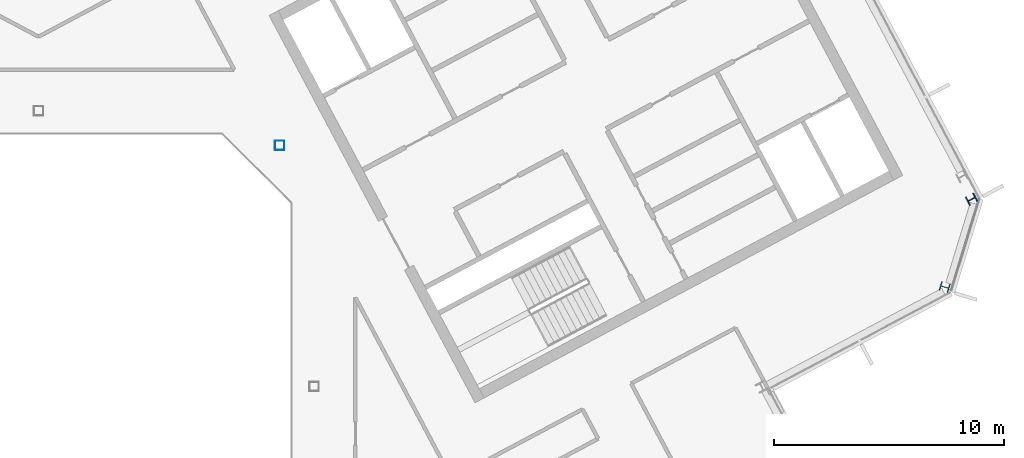
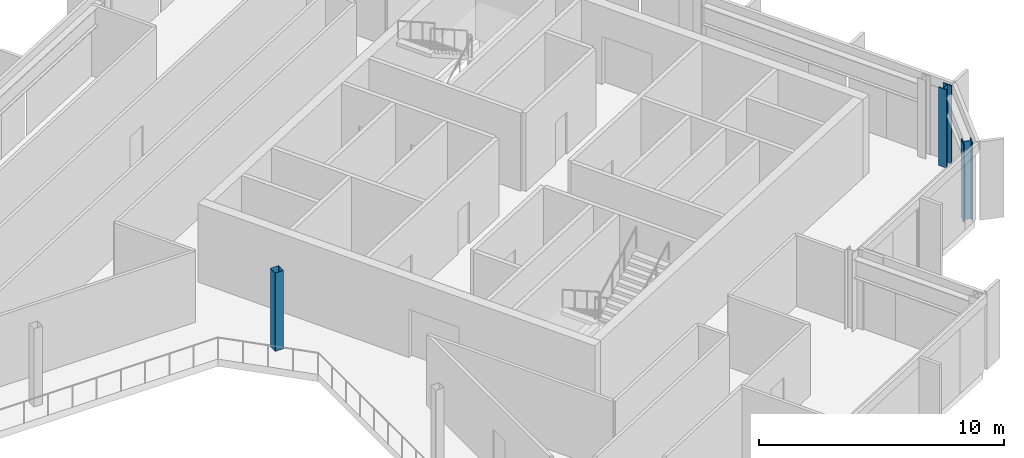
# One storey, part 6 of 26: 3 columns.
"""IFC4 building model written with IfcOpenShell, lengths in metres."""

from ifc_helpers import new_model, si_unit, direction, frame, origin, origin_2d, place, context, subcontext, project, spatial, hollow_rectangle, i_section, extrude, material, material_profile, profile_set, type_object, element, save


model = new_model("IFC4")

# Units and contexts
model_context = context("Model", 3, precision=1e-05, world=origin(), true_north=direction((0.0, 1.0)))
body_context = subcontext(model_context, "Body", "Model", "MODEL_VIEW")
ifc_project = project(units=[si_unit("LENGTHUNIT", "METRE"), si_unit("AREAUNIT", "SQUARE_METRE"), si_unit("VOLUMEUNIT", "CUBIC_METRE"), si_unit("PLANEANGLEUNIT", "RADIAN"), si_unit("MASSUNIT", "GRAM", prefix="KILO")], contexts=[model_context])

# Site, building, storey
site_placement = place(None, origin())
site = spatial("IfcSite", under=ifc_project, at=site_placement, CompositionType="ELEMENT")
building_placement = place(site_placement, origin())
building = spatial("IfcBuilding", under=site, at=building_placement, Name="Cormorant Relay Tower", CompositionType="ELEMENT")
storey_placement = place(building_placement, frame((0.0, 0.0, 312.60009765625)))
storey = spatial("IfcBuildingStorey", under=building, at=storey_placement, Name="L71", CompositionType="ELEMENT", Elevation=312.60009765625)

# Columns
ifc_material_1 = material(Name="Steel ASTM A500 Grade C (Fy 345 MPa)", Category="steel")
ifc_material_profile_1 = material_profile(ifc_material_1, hollow_rectangle(XDim=0.406494140625, YDim=0.406494140625, WallThickness=0.0087890625, InnerFilletRadius=0.00439453125, OuterFilletRadius=0.01318359375, at=origin_2d()), Name="HSS406x406x9")
ifc_profile_set_1 = profile_set([ifc_material_profile_1], Name="Steel ASTM A500 Grade C (Fy 345 MPa)")
column_type_1 = type_object("IfcColumnType", Name="Column HSS406x406x9", PredefinedType="COLUMN", material=ifc_profile_set_1)
column_placement = place(storey_placement, frame((10.5, 10.5, 0.0), z_axis=(0.0, 0.0, 1.0), x_axis=(1.0, 0.0, 0.0)))
element("IfcColumn", 1, at=column_placement, inside=storey, type_object=column_type_1, Name="Column L71-024", PredefinedType="COLUMN", context=body_context, shape_type="SweptSolid", body=[
    extrude(hollow_rectangle(XDim=0.406494140625, YDim=0.406494140625, WallThickness=0.0087890625, InnerFilletRadius=0.00439453125, OuterFilletRadius=0.01318359375, at=origin_2d()), origin(), (0.0, 0.0, 1.0), 3.89990234375),
])
ifc_material_2 = material(Name="Steel ASTM A992 (Fy 345 MPa)", Category="steel")
ifc_material_profile_2 = material_profile(ifc_material_2, i_section(OverallWidth=0.40380859375, OverallDepth=0.406494140625, WebThickness=0.027099609375, FlangeThickness=0.043701171875, FilletRadius=0.01513671875, at=origin_2d()), Name="W360x347")
ifc_profile_set_2 = profile_set([ifc_material_profile_2], Name="Steel ASTM A992 (Fy 345 MPa)")
column_type_2 = type_object("IfcColumnType", Name="Column W360x347", PredefinedType="COLUMN", material=ifc_profile_set_2)
for number, where, z_axis, x_axis, name in (
    (2, (39.464111328125, 4.330078125, 0.0), (0.0, 0.0, 1.0), (0.292371704723, 0.956304755963, 0.0), "Column L71-019"),
    (3, (40.633056640625, 8.153076171875, 0.0), (0.0, 0.0, 1.0), (-0.469471562786, 0.882947592859, 0.0), "Column L71-020"),
):
    element("IfcColumn", number, at=place(storey_placement, frame(where, z_axis=z_axis, x_axis=x_axis)), inside=storey, type_object=column_type_2, Name=name, PredefinedType="COLUMN", context=body_context, shape_type="SweptSolid", body=[
        extrude(i_section(OverallWidth=0.40380859375, OverallDepth=0.406494140625, WebThickness=0.027099609375, FlangeThickness=0.043701171875, FilletRadius=0.01513671875, at=origin_2d()), origin(), (0.0, 0.0, 1.0), 3.89990234375),
    ])

save(model, "model.ifc")
